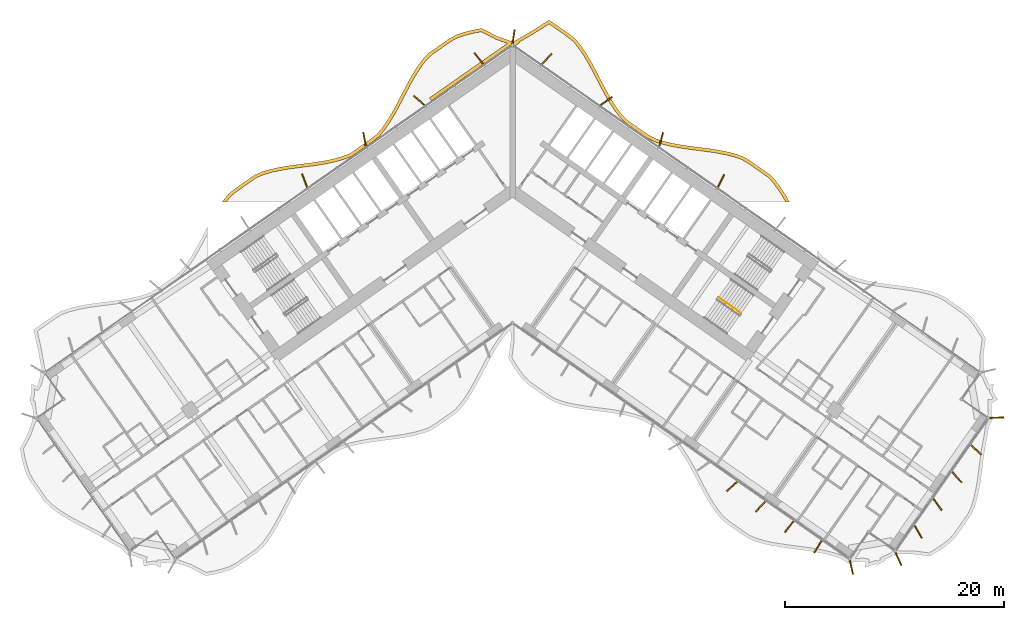
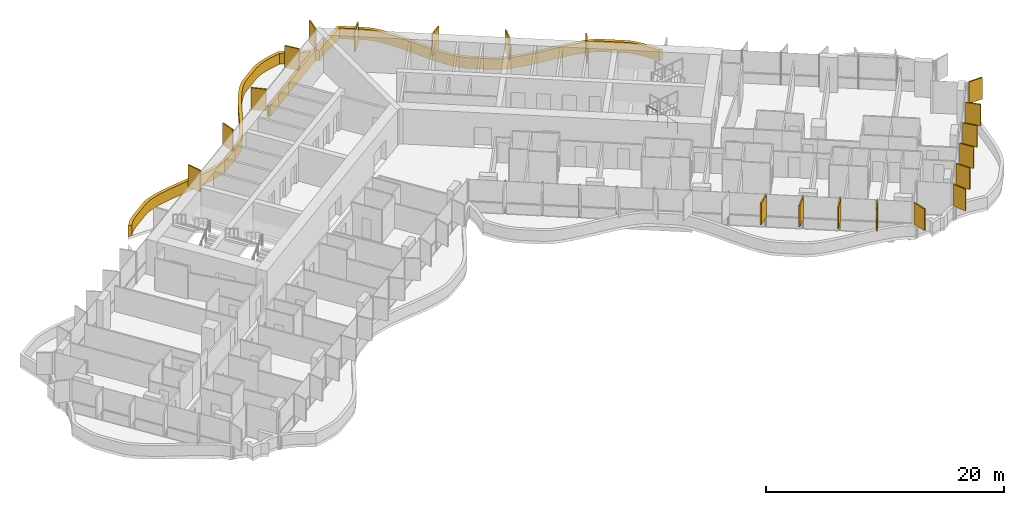
# One storey, part 24 of 25: 21 shading devices, 1 railing.
"""IFC4 building model written with IfcOpenShell, lengths in metres."""

from ifc_helpers import new_model, si_unit, direction, frame, origin, origin_2d, place, context, subcontext, project, spatial, polyline, rectangle, circle, outline, extrude, material, layer, layer_set, type_object, element, save


model = new_model("IFC4")

# Units and contexts
model_context = context("Model", 3, precision=1e-05, world=origin(), true_north=direction((0.0, 1.0)))
body_context = subcontext(model_context, "Body", "Model", "MODEL_VIEW")
ifc_project = project(units=[si_unit("LENGTHUNIT", "METRE"), si_unit("AREAUNIT", "SQUARE_METRE"), si_unit("VOLUMEUNIT", "CUBIC_METRE"), si_unit("PLANEANGLEUNIT", "RADIAN"), si_unit("MASSUNIT", "GRAM", prefix="KILO")], contexts=[model_context])

# Site, building, storey
site_placement = place(None, origin())
site = spatial("IfcSite", under=ifc_project, at=site_placement, CompositionType="ELEMENT")
building_placement = place(site_placement, origin())
building = spatial("IfcBuilding", under=site, at=building_placement, Name="Tel Ilan Convention Tower", CompositionType="ELEMENT")
storey_placement = place(building_placement, frame((0.0, 0.0, 61.699951171875)))
storey = spatial("IfcBuildingStorey", under=building, at=storey_placement, Name="L10", CompositionType="ELEMENT", Elevation=61.699951171875)

# Shading devices
ifc_material_1 = material(Name="Aluminium, bronze anodised", Category="aluminium")
ifc_layer_1 = layer(ifc_material_1, 0.1201171875)
ifc_layer_set_1 = layer_set([ifc_layer_1], Name="FIN BRONZE 1300x120")
shading_device_type_1 = type_object("IfcShadingDeviceType", Name="FIN BRONZE 1300x120", PredefinedType="USERDEFINED", material=ifc_layer_set_1)
for number, where, z_axis, x_axis, name in (
    (1, (19.058349609375, 0.2685546875, 1.10009765625), (0.0, 0.0, 1.0), (0.448799180206, 0.893632640321, 0.0), "FIN"),
    (2, (13.5869140625, 4.076416015625, 1.10009765625), (0.0, 0.0, 1.0), (0.268172612768, 0.963370878614, 0.0), "FIN"),
    (3, (8.580810546875, 7.581787109375, 1.10009765625), (0.0, 0.0, 1.0), (0.813552070258, 0.581492071294, 0.0), "FIN"),
    (4, (3.131103515625, 11.4208984375, 1.10009765625), (0.0, 0.0, 1.0), (0.686241637865, 0.727373641577, 0.0), "FIN"),
    (5, (0.09423828125, 13.469482421875, 1.10009765625), (0.0, 0.0, 1.0), (0.144931859301, 0.989441638582, 0.0), "FIN"),
    (6, (-3.079833984375, 11.45703125, 1.10009765625), (0.0, 0.0, 1.0), (-0.612600545196, 0.790392669516, 0.0), "FIN"),
    (7, (-8.53857421875, 7.626708984375, 1.10009765625), (0.0, 0.0, 1.0), (-0.753435896329, 0.657521368568, 0.0), "FIN"),
    (8, (-13.528564453125, 4.094970703125, 1.10009765625), (0.0, 0.0, 1.0), (-0.173648177667, 0.984807753012, 0.0), "FIN"),
    (9, (-19.00390625, 0.298583984375, 1.10009765625), (0.0, 0.0, 1.0), (-0.360177724803, 0.932883704733, 0.0), "FIN"),
    (10, (20.061767578125, -27.65283203125, 1.10009765625), (0.0, 0.0, 1.0), (-0.753435896329, -0.657521368568, 0.0), "FIN"),
    (11, (22.6787109375, -29.4931640625, 1.10009765625), (0.0, 0.0, 1.0), (-0.686241637865, -0.727373641577, 0.0), "FIN"),
    (12, (25.2998046875, -31.328857421875, 1.10009765625), (0.0, 0.0, 1.0), (-0.612600545196, -0.790392669516, 0.0), "FIN"),
    (13, (27.92138671875, -33.164306640625, 1.10009765625), (0.0, 0.0, 1.0), (-0.533204432798, -0.845986425922, 0.0), "FIN"),
    (14, (30.9833984375, -35.04833984375, 1.10009765625), (0.0, 0.0, 1.0), (0.221170268371, -0.975235208752, 0.0), "FIN"),
    (15, (35.283203125, -34.283203125, 1.10009765625), (0.0, 0.0, 1.0), (0.404964282034, -0.914332505315, 0.0), "FIN"),
    (16, (37.08349609375, -31.794921875, 1.10009765625), (0.0, 0.0, 1.0), (0.5, -0.866025403784, 0.0), "FIN"),
    (17, (38.852783203125, -29.30029296875, 1.10009765625), (0.0, 0.0, 1.0), (0.581492071294, -0.813552070258, 0.0), "FIN"),
    (18, (40.618408203125, -26.800537109375, 1.10009765625), (0.0, 0.0, 1.0), (0.657521368568, -0.753435896329, 0.0), "FIN"),
    (19, (42.3798828125, -24.296142578125, 1.10009765625), (0.0, 0.0, 1.0), (0.727373641577, -0.686241637865, 0.0), "FIN"),
    (20, (44.27880859375, -21.36767578125, 1.10009765625), (0.0, 0.0, 1.0), (0.999576950082, 0.029084718749, 0.0), "FIN"),
):
    element("IfcShadingDevice", number, at=place(storey_placement, frame(where, z_axis=z_axis, x_axis=x_axis)), inside=storey, type_object=shading_device_type_1, Name=name, ObjectType="FIN", PredefinedType="USERDEFINED", context=body_context, shape_type="SweptSolid", body=[
        extrude(rectangle(XDim=1.300048828125, YDim=0.1201171875, at=origin_2d()), origin(), (0.0, 0.0, 1.0), 2.219970703125),
    ])
ifc_material_2 = material(Name="Aluminium, bronze anodised", Category="aluminium")
ifc_layer_2 = layer(ifc_material_2, 0.300048828125)
ifc_layer_set_2 = layer_set([ifc_layer_2], Name="LOUVRE BAND 300x1100")
shading_device_type_2 = type_object("IfcShadingDeviceType", Name="LOUVRE BAND 300x1100", PredefinedType="USERDEFINED", material=ifc_layer_set_2)
shading_device_placement = place(storey_placement, origin())
element("IfcShadingDevice", 21, at=shading_device_placement, inside=storey, type_object=shading_device_type_2, Name="LOUVRE BAND 11.02", ObjectType="LOUVRE", PredefinedType="USERDEFINED", context=body_context, shape_type="SweptSolid", body=[
    extrude(outline(polyline([(-26.470947265625, -1.533447265625), (-26.5380859375, -1.631591796875), (-26.164794921875, -1.631591796875), (-25.768798828125, -1.13916015625), (-25.22119140625, -0.691162109375), (-23.4189453125, 0.570556640625), (-22.757568359375, 0.845947265625), (-22.025146484375, 1.0595703125), (-21.250732421875, 1.229248046875), (-20.445556640625, 1.36474609375), (-17.94091796875, 1.697021484375), (-17.10986328125, 1.831298828125), (-16.29736328125, 2.001220703125), (-15.51171875, 2.2197265625), (-14.73974609375, 2.50537109375), (-14.091552734375, 2.951171875), (-12.86083984375, 3.812744140625), (-12.2314453125, 4.287841796875), (-11.706298828125, 4.921142578125), (-11.2373046875, 5.590576171875), (-10.803466796875, 6.300537109375), (-10.395751953125, 7.0380859375), (-9.617919921875, 8.540283203125), (-9.227294921875, 9.275390625), (-8.822509765625, 9.9814453125), (-8.39501953125, 10.64501953125), (-7.941650390625, 11.25048828125), (-7.44140625, 11.75830078125), (-5.638916015625, 13.020263671875), (-5.01953125, 13.36328125), (-4.31494140625, 13.594970703125), (-3.555908203125, 13.7822265625), (-2.858154296875, 13.91259765625), (-1.501220703125, 13.2119140625), (-0.474609375, 12.85205078125), (-7.591552734375, 7.86865234375), (-7.41943359375, 7.623046875), (0.0, 12.818115234375), (0.261474609375, 12.635009765625), (0.71044921875, 12.94921875), (0.5732421875, 12.94921875), (1.861328125, 13.69384765625), (3.339111328125, 14.630615234375), (5.00537109375, 13.4638671875), (5.557861328125, 13.021728515625), (6.019775390625, 12.45166015625), (6.460205078125, 11.81103515625), (6.87451171875, 11.123046875), (7.270751953125, 10.399658203125), (8.04541015625, 8.9013671875), (8.444580078125, 8.155517578125), (8.865234375, 7.431396484375), (9.31689453125, 6.74169921875), (9.814697265625, 6.0908203125), (10.396484375, 5.538330078125), (12.26953125, 4.226806640625), (12.98193359375, 3.861572265625), (13.763427734375, 3.61376953125), (14.564697265625, 3.4228515625), (15.388427734375, 3.27392578125), (16.225341796875, 3.153076171875), (17.89892578125, 2.9375), (18.715087890625, 2.813720703125), (19.504638671875, 2.661376953125), (20.259033203125, 2.468505859375), (20.95556640625, 2.231201171875), (21.563720703125, 1.869873046875), (23.36572265625, 0.60791015625), (23.8505859375, 0.080322265625), (24.302001953125, -0.53466796875), (24.726318359375, -1.204345703125), (24.968505859375, -1.631591796875), (25.313232421875, -1.631591796875), (24.983642578125, -1.0498046875), (24.5498046875, -0.365478515625), (24.082763671875, 0.271240234375), (23.564453125, 0.8349609375), (21.7265625, 2.121826171875), (21.081787109375, 2.505126953125), (20.3447265625, 2.756103515625), (19.5703125, 2.9541015625), (18.76611328125, 3.109375), (17.940673828125, 3.234619140625), (16.265625, 3.450439453125), (15.4365234375, 3.570068359375), (14.626220703125, 3.716796875), (13.843505859375, 3.903076171875), (13.0966796875, 4.14013671875), (12.4248046875, 4.484375), (10.5869140625, 5.771484375), (10.038330078125, 6.2919921875), (9.561767578125, 6.915283203125), (9.12060546875, 7.5888671875), (8.70654296875, 8.3017578125), (8.31103515625, 9.040771484375), (7.535400390625, 10.540771484375), (7.134765625, 11.2724609375), (6.712646484375, 11.9736328125), (6.26025390625, 12.63134765625), (5.7705078125, 13.23583984375), (5.185302734375, 13.7041015625), (3.347412109375, 14.990966796875), (1.7060546875, 13.950439453125), (0.168701171875, 13.059326171875), (0.11474609375, 13.09521484375), (0.0, 13.1181640625), (-0.11474609375, 13.09521484375), (-0.168701171875, 13.059326171875), (-1.382080078125, 13.48828125), (-2.81201171875, 14.226318359375), (-3.619384765625, 14.075439453125), (-4.39794921875, 13.883544921875), (-5.14013671875, 13.639404296875), (-5.798095703125, 13.275146484375), (-7.635986328125, 11.98828125), (-8.169677734375, 11.446533203125), (-8.641357421875, 10.81640625), (-9.078857421875, 10.13720703125), (-9.489990234375, 9.42041015625), (-9.8837890625, 8.67919921875), (-10.66015625, 7.179931640625), (-11.06298828125, 6.451416015625), (-11.488525390625, 5.755126953125), (-11.945068359375, 5.103271484375), (-12.43994140625, 4.506103515625), (-13.037353515625, 4.055419921875), (-14.87890625, 2.773681640625), (-15.60400390625, 2.50537109375), (-16.3681640625, 2.29296875), (-17.16455078125, 2.12646484375), (-17.98486328125, 1.993896484375), (-20.490966796875, 1.661376953125), (-21.307861328125, 1.52392578125), (-22.099365234375, 1.350341796875), (-22.857421875, 1.129150390625), (-23.564453125, 0.8349609375), (-25.40234375, -0.451904296875), (-25.98291015625, -0.9267578125), (-26.470947265625, -1.533447265625)])), origin(), (0.0, 0.0, 1.0), 1.10009765625),
])

# Railing
ifc_material_3 = material(Name="Stainless Steel Grade 316", Category="steel")
railing_type = type_object("IfcRailingType", Name="Stainless Steel Stair Guard 1100 mm", PredefinedType="GUARDRAIL", material=ifc_material_3)
railing_placement = place(storey_placement, frame((20.89697265625, -11.824462890625, 0.179931640625)))
element("IfcRailing", 22, at=railing_placement, inside=storey, type_object=railing_type, Name="L10 S4 stair guard 1", PredefinedType="GUARDRAIL", context=body_context, shape_type="SweptSolid", body=[
    extrude(circle(Radius=0.02392578125, at=origin_2d()), frame((0.0, 0.0, 1.076171875), z_axis=(-0.689013013563, 0.482512838948, 0.540779462804), x_axis=(-0.573624882958, -0.819118119475, 0.0)), (0.0, 0.0, 1.0), 2.995849609375),
    extrude(circle(Radius=0.02099609375, at=origin_2d()), origin(), (0.0, 0.0, 1.0), 1.052001953125),
    extrude(circle(Radius=0.02099609375, at=origin_2d()), frame((-0.68798828125, 0.48193359375, 0.5400390625)), (0.0, 0.0, 1.0), 1.052001953125),
    extrude(circle(Radius=0.02099609375, at=origin_2d()), frame((-1.376220703125, 0.963623046875, 1.080078125)), (0.0, 0.0, 1.0), 1.052001953125),
    extrude(circle(Radius=0.02099609375, at=origin_2d()), frame((-2.064208984375, 1.445556640625, 1.6201171875)), (0.0, 0.0, 1.0), 1.052001953125),
])

save(model, "model.ifc")
